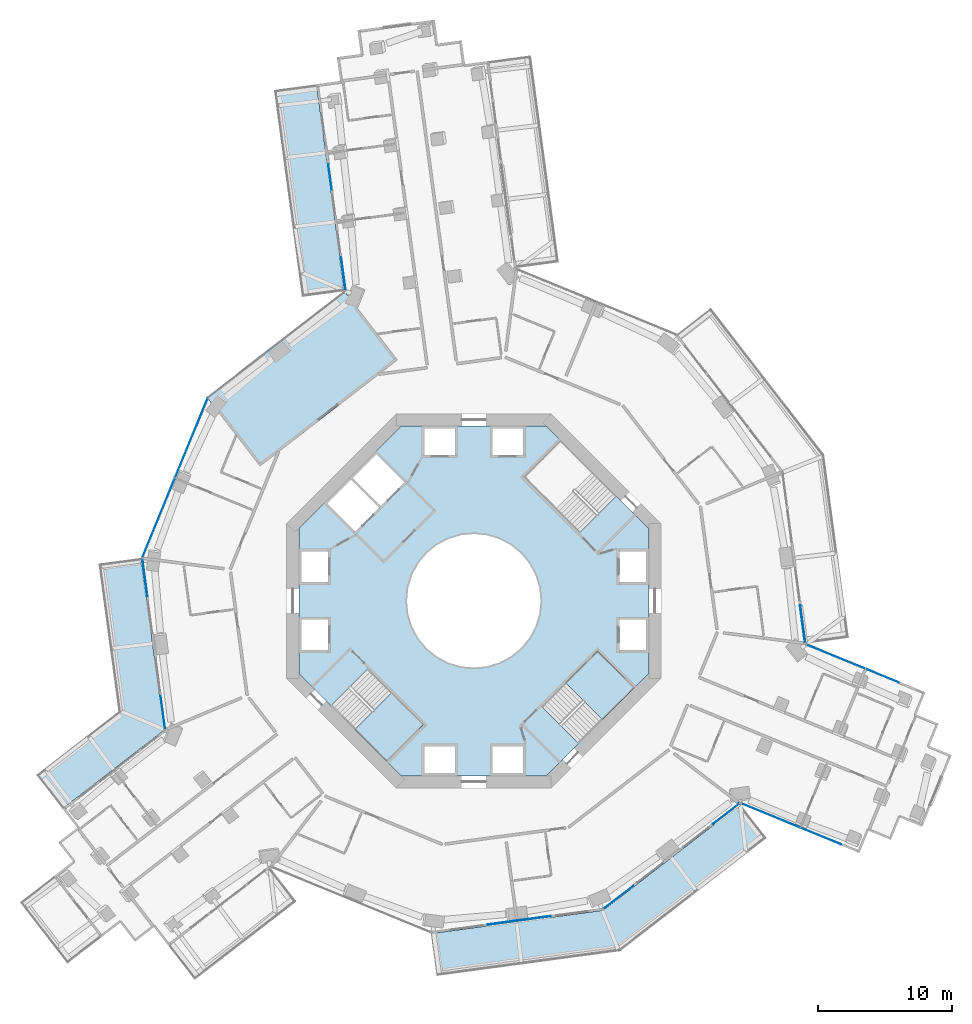
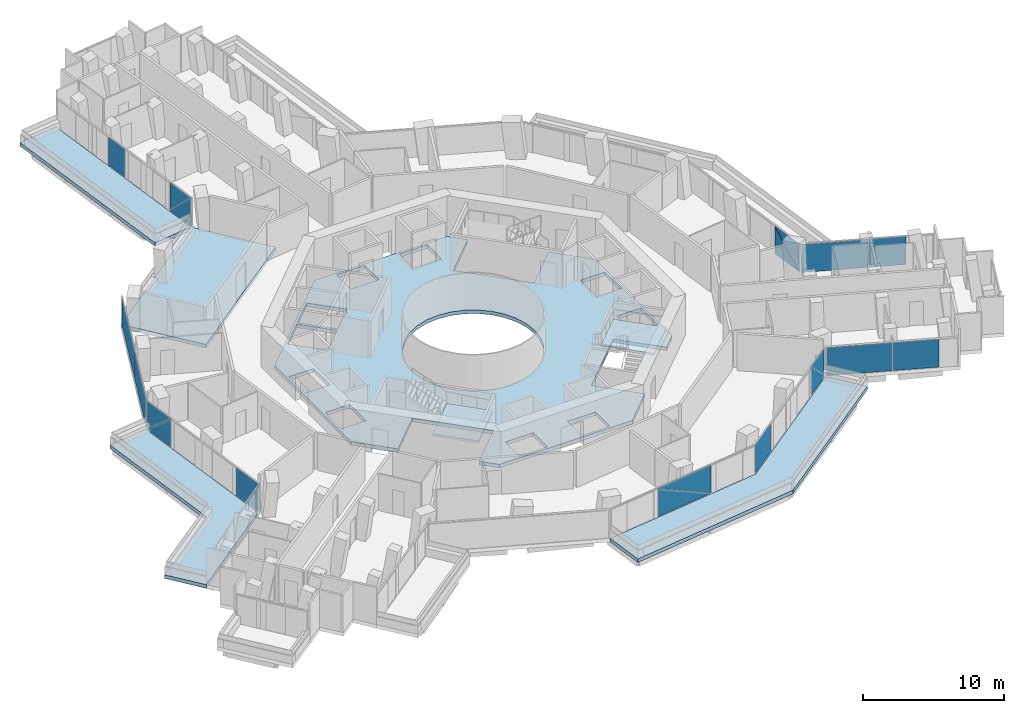
# One storey, part 14 of 27: 19 plates, 7 slabs, 10 elements without a shape of their own.
"""IFC4 building model written with IfcOpenShell, lengths in metres."""

from ifc_helpers import new_model, si_unit, direction, frame, origin, origin_2d, place, context, subcontext, project, spatial, polyline, rectangle, outline, extrude, material, layer, layer_set, type_object, element, aggregate, save


model = new_model("IFC4")

# Units and contexts
model_context = context("Model", 3, precision=1e-05, world=origin(), true_north=direction((0.0, 1.0)))
body_context = subcontext(model_context, "Body", "Model", "MODEL_VIEW")
ifc_project = project(units=[si_unit("LENGTHUNIT", "METRE"), si_unit("AREAUNIT", "SQUARE_METRE"), si_unit("VOLUMEUNIT", "CUBIC_METRE"), si_unit("PLANEANGLEUNIT", "RADIAN"), si_unit("MASSUNIT", "GRAM", prefix="KILO")], contexts=[model_context])

# Site, building, storey
site_placement = place(None, origin())
site = spatial("IfcSite", under=ifc_project, at=site_placement, CompositionType="ELEMENT")
building_placement = place(site_placement, origin())
building = spatial("IfcBuilding", under=site, at=building_placement, Name="Verdalira Terraces Hotel", CompositionType="ELEMENT")
storey_placement = place(building_placement, frame((0.0, 0.0, 64.5)))
storey = spatial("IfcBuildingStorey", under=building, at=storey_placement, Name="L14", CompositionType="ELEMENT", Elevation=64.5)

# Slabs
ifc_material_1 = material(Name="Precast concrete C40/50", Category="concrete")
ifc_layer_1 = layer(ifc_material_1, 0.31005859375)
ifc_layer_set_1 = layer_set([ifc_layer_1], Name="Balcony deck 310")
slab_type_1 = type_object("IfcSlabType", Name="Balcony deck 310", PredefinedType="FLOOR", material=ifc_layer_set_1)
slab_1_placement = place(storey_placement, frame((0.0, 0.0, -0.310059)))
element("IfcSlab", 1, at=slab_1_placement, inside=storey, type_object=slab_type_1, Name="Balcony deck", PredefinedType="FLOOR", context=body_context, shape_type="SweptSolid", body=[
    extrude(outline(polyline([(-12.85498, 22.744385), (-9.683594, 23.172119), (-11.77124, 38.652832), (-14.942383, 38.225342), (-12.85498, 22.744385)])), origin(), (0.0, 0.0, 1.0), 0.310059),
])
slab_2_placement = place(storey_placement, frame((0.0, 0.0, -0.310059)))
element("IfcSlab", 2, at=slab_2_placement, inside=storey, type_object=slab_type_1, Name="Balcony deck", PredefinedType="FLOOR", context=body_context, shape_type="SweptSolid", body=[
    extrude(outline(polyline([(-26.590332, -8.280273), (-32.742432, -13.031738), (-30.786377, -15.564453), (-23.172119, -9.683594), (-24.909424, 3.199707), (-28.080566, 2.772217), (-26.590332, -8.280273)])), origin(), (0.0, 0.0, 1.0), 0.310059),
])
slab_3_placement = place(storey_placement, frame((0.0, 0.0, -0.310059)))
element("IfcSlab", 3, at=slab_3_placement, inside=storey, type_object=slab_type_1, Name="Balcony deck", PredefinedType="FLOOR", context=body_context, shape_type="SweptSolid", body=[
    extrude(outline(polyline([(21.928223, -17.758301), (19.972168, -15.22583), (9.683594, -23.172119), (-3.199707, -24.909424), (-2.772217, -28.080566), (10.960938, -26.22876), (21.928223, -17.758301)])), origin(), (0.0, 0.0, 1.0), 0.310059),
])

# Curtain wall, plates
ifc_material_2 = material(Name="Clear glass", Category="glass")
ifc_layer_2 = layer(ifc_material_2, 0.14990234375)
ifc_layer_set_2 = layer_set([ifc_layer_2], Name="CW1 curtain wall")
curtain_wall_type_1 = type_object("IfcCurtainWallType", Name="CW1 curtain wall", PredefinedType="NOTDEFINED", material=ifc_layer_set_2)
curtain_wall_1_placement = place(storey_placement, origin())
curtain_wall_1 = element("IfcCurtainWall", 4, at=curtain_wall_1_placement, inside=storey, type_object=curtain_wall_type_1, Name="CW1 curtain wall L14 edge 12", PredefinedType="NOTDEFINED")
ifc_material_3 = material(Name="Clear glass", Category="glass")
ifc_layer_3 = layer(ifc_material_3, 0.028076171875)
ifc_layer_set_3 = layer_set([ifc_layer_3], Name="CW1 glass unit 28")
plate_type_1 = type_object("IfcPlateType", Name="CW1 glass unit 28", PredefinedType="CURTAIN_PANEL", material=ifc_layer_set_3)
plate_1_placement = place(storey_placement, frame((-21.142822, 12.177002, 0.0), z_axis=(0.0, 0.0, 1.0), x_axis=(-0.379779096, -0.925077207, 0.0)))
plate_1 = element("IfcPlate", 5, at=plate_1_placement, type_object=plate_type_1, Name="CW1 glass unit", PredefinedType="CURTAIN_PANEL", context=body_context, shape_type="SweptSolid", body=[
    extrude(rectangle(XDim=6.409912, YDim=0.028076, at=origin_2d()), origin(), (0.0, 0.0, 1.0), 2.425049),
])
plate_2_placement = place(storey_placement, frame((-23.592285, 6.210205, 0.0), z_axis=(0.0, 0.0, 1.0), x_axis=(-0.379779096, -0.925077207, 0.0)))
plate_2 = element("IfcPlate", 6, at=plate_2_placement, type_object=plate_type_1, Name="CW1 glass unit", PredefinedType="CURTAIN_PANEL", context=body_context, shape_type="SweptSolid", body=[
    extrude(rectangle(XDim=6.369873, YDim=0.028076, at=origin_2d()), origin(), (0.0, 0.0, 1.0), 2.425049),
])
aggregate(curtain_wall_1, [plate_1, plate_2])

curtain_wall_2_placement = place(storey_placement, origin())
curtain_wall_2 = element("IfcCurtainWall", 7, at=curtain_wall_2_placement, inside=storey, type_object=curtain_wall_type_1, Name="CW1 curtain wall L14 edge 13", PredefinedType="NOTDEFINED")
plate_3_placement = place(storey_placement, frame((-24.620605, 1.725098, 1.212402), z_axis=(-0.991029909, -0.133640259, 0.0), x_axis=(0.133640259, -0.991029909, 0.0)))
plate_3 = element("IfcPlate", 8, at=plate_3_placement, type_object=plate_type_1, Name="CW1 glass unit", PredefinedType="CURTAIN_PANEL", context=body_context, shape_type="SweptSolid", body=[
    extrude(outline(polyline([(-1.399902, -1.212402), (1.399902, -1.212402), (1.399902, 1.212402), (-1.399902, -1.212402)])), origin(), (0.0, 0.0, 1.0), 0.028076),
])
plate_4_placement = place(storey_placement, frame((-24.591797, 1.729004, 1.212402), z_axis=(-0.991029909, -0.133640259, 0.0), x_axis=(0.133640259, -0.991029909, 0.0)))
plate_4 = element("IfcPlate", 9, at=plate_4_placement, type_object=plate_type_1, Name="CW1 glass unit", PredefinedType="CURTAIN_PANEL", context=body_context, shape_type="SweptSolid", body=[
    extrude(outline(polyline([(-1.399902, -1.212402), (1.399902, 1.212402), (-1.399902, 1.212402), (-1.399902, -1.212402)])), origin(), (0.0, 0.0, 1.0), 0.028076),
])
plate_5_placement = place(storey_placement, frame((-23.271484, -8.385498, 0.0), z_axis=(0.0, 0.0, 1.0), x_axis=(0.133640259, -0.991029909, 0.0)))
plate_5 = element("IfcPlate", 10, at=plate_5_placement, type_object=plate_type_1, Name="CW1 glass unit", PredefinedType="CURTAIN_PANEL", context=body_context, shape_type="SweptSolid", body=[
    extrude(rectangle(XDim=2.479492, YDim=0.028076, at=origin_2d()), origin(), (0.0, 0.0, 1.0), 2.425049),
])
aggregate(curtain_wall_2, [plate_3, plate_4, plate_5])

curtain_wall_3_placement = place(storey_placement, origin())
curtain_wall_3 = element("IfcCurtainWall", 11, at=curtain_wall_3_placement, inside=storey, type_object=curtain_wall_type_1, Name="CW1 curtain wall L14 edge 26", PredefinedType="NOTDEFINED")
plate_6_placement = place(storey_placement, frame((3.406738, -23.928711, 1.212402), z_axis=(0.133640259, -0.991029909, 0.0), x_axis=(0.991029909, 0.133640259, 0.0)))
plate_6 = element("IfcPlate", 12, at=plate_6_placement, type_object=plate_type_1, Name="CW1 glass unit", PredefinedType="CURTAIN_PANEL", context=body_context, shape_type="SweptSolid", body=[
    extrude(outline(polyline([(-2.379639, -1.212402), (2.379639, -1.212402), (-2.379639, 1.212402), (-2.379639, -1.212402)])), origin(), (0.0, 0.0, 1.0), 0.028076),
])
plate_7_placement = place(storey_placement, frame((3.402832, -23.899902, 1.212402), z_axis=(0.133640259, -0.991029909, 0.0), x_axis=(0.991029909, 0.133640259, 0.0)))
plate_7 = element("IfcPlate", 13, at=plate_7_placement, type_object=plate_type_1, Name="CW1 glass unit", PredefinedType="CURTAIN_PANEL", context=body_context, shape_type="SweptSolid", body=[
    extrude(outline(polyline([(2.379639, -1.212402), (2.379639, 1.212402), (-2.379639, 1.212402), (2.379639, -1.212402)])), origin(), (0.0, 0.0, 1.0), 0.028076),
])
aggregate(curtain_wall_3, [plate_6, plate_7])

curtain_wall_4_placement = place(storey_placement, origin())
curtain_wall_4 = element("IfcCurtainWall", 14, at=curtain_wall_4_placement, inside=storey, type_object=curtain_wall_type_1, Name="CW1 curtain wall L14 edge 27", PredefinedType="NOTDEFINED")
plate_8_placement = place(storey_placement, frame((10.824951, -22.195801, 0.0), z_axis=(0.0, 0.0, 1.0), x_axis=(0.791436948, 0.611250814, 0.0)))
plate_8 = element("IfcPlate", 15, at=plate_8_placement, type_object=plate_type_1, Name="CW1 glass unit", PredefinedType="CURTAIN_PANEL", context=body_context, shape_type="SweptSolid", body=[
    extrude(rectangle(XDim=2.799805, YDim=0.028076, at=origin_2d()), origin(), (0.0, 0.0, 1.0), 2.425049),
])
plate_9_placement = place(storey_placement, frame((18.88916, -15.949707, 1.212402), z_axis=(0.611250814, -0.791436948, 0.0), x_axis=(0.791436948, 0.611250814, 0.0)))
plate_9 = element("IfcPlate", 16, at=plate_9_placement, type_object=plate_type_1, Name="CW1 glass unit", PredefinedType="CURTAIN_PANEL", context=body_context, shape_type="SweptSolid", body=[
    extrude(outline(polyline([(-1.239746, -1.212402), (1.239746, -1.212402), (-1.239746, 1.212402), (-1.239746, -1.212402)])), origin(), (0.0, 0.0, 1.0), 0.028076),
])
plate_10_placement = place(storey_placement, frame((18.871338, -15.926758, 1.212402), z_axis=(0.611250814, -0.791436948, 0.0), x_axis=(0.791436948, 0.611250814, 0.0)))
plate_10 = element("IfcPlate", 17, at=plate_10_placement, type_object=plate_type_1, Name="CW1 glass unit", PredefinedType="CURTAIN_PANEL", context=body_context, shape_type="SweptSolid", body=[
    extrude(outline(polyline([(1.239746, -1.212402), (1.239746, 1.212402), (-1.239746, 1.212402), (1.239746, -1.212402)])), origin(), (0.0, 0.0, 1.0), 0.028076),
])
aggregate(curtain_wall_4, [plate_8, plate_9, plate_10])

curtain_wall_5_placement = place(storey_placement, origin())
curtain_wall_5 = element("IfcCurtainWall", 18, at=curtain_wall_5_placement, inside=storey, type_object=curtain_wall_type_1, Name="CW1 curtain wall L14 edge 39", PredefinedType="NOTDEFINED")
plate_11_placement = place(storey_placement, frame((24.623291, -1.745117, 1.212402), z_axis=(0.991029909, 0.133640259, 0.0), x_axis=(-0.133640259, 0.991029909, 0.0)))
plate_11 = element("IfcPlate", 19, at=plate_11_placement, type_object=plate_type_1, Name="CW1 glass unit", PredefinedType="CURTAIN_PANEL", context=body_context, shape_type="SweptSolid", body=[
    extrude(outline(polyline([(-1.419922, -1.212402), (1.419922, -1.212402), (1.419922, 1.212402), (-1.419922, -1.212402)])), origin(), (0.0, 0.0, 1.0), 0.028076),
])
plate_12_placement = place(storey_placement, frame((24.594482, -1.749023, 1.212402), z_axis=(0.991029909, 0.133640259, 0.0), x_axis=(-0.133640259, 0.991029909, 0.0)))
plate_12 = element("IfcPlate", 20, at=plate_12_placement, type_object=plate_type_1, Name="CW1 glass unit", PredefinedType="CURTAIN_PANEL", context=body_context, shape_type="SweptSolid", body=[
    extrude(outline(polyline([(-1.419922, -1.212402), (1.419922, 1.212402), (-1.419922, 1.212402), (-1.419922, -1.212402)])), origin(), (0.0, 0.0, 1.0), 0.028076),
])
aggregate(curtain_wall_5, [plate_11, plate_12])

ifc_material_4 = material(Name="Clear glass", Category="glass")
ifc_layer_4 = layer(ifc_material_4, 0.14990234375)
ifc_layer_set_4 = layer_set([ifc_layer_4], Name="CW2 curtain wall")
curtain_wall_type_2 = type_object("IfcCurtainWallType", Name="CW2 curtain wall", PredefinedType="NOTDEFINED", material=ifc_layer_set_4)
curtain_wall_6_placement = place(storey_placement, origin())
curtain_wall_6 = element("IfcCurtainWall", 21, at=curtain_wall_6_placement, inside=storey, type_object=curtain_wall_type_2, Name="CW2 curtain wall L14 edge 10", PredefinedType="NOTDEFINED")
ifc_material_5 = material(Name="Clear glass", Category="glass")
ifc_layer_5 = layer(ifc_material_5, 0.031982421875)
ifc_layer_set_5 = layer_set([ifc_layer_5], Name="CW2 glass unit 32")
plate_type_2 = type_object("IfcPlateType", Name="CW2 glass unit 32", PredefinedType="CURTAIN_PANEL", material=ifc_layer_set_5)
plate_13_placement = place(storey_placement, frame((-10.762207, 31.731201, 0.0), z_axis=(0.0, 0.0, 1.0), x_axis=(0.133640259, -0.991029909, 0.0)))
plate_13 = element("IfcPlate", 22, at=plate_13_placement, type_object=plate_type_2, Name="CW2 glass unit", PredefinedType="CURTAIN_PANEL", context=body_context, shape_type="SweptSolid", body=[
    extrude(rectangle(XDim=1.938965, YDim=0.031982, at=origin_2d()), origin(), (0.0, 0.0, 1.0), 2.425049),
])
plate_14_placement = place(storey_placement, frame((-9.768799, 24.484863, 1.212402), z_axis=(-0.991029909, -0.133640259, 0.0), x_axis=(0.133640259, -0.991029909, 0.0)))
plate_14 = element("IfcPlate", 23, at=plate_14_placement, type_object=plate_type_2, Name="CW2 glass unit", PredefinedType="CURTAIN_PANEL", context=body_context, shape_type="SweptSolid", body=[
    extrude(outline(polyline([(-1.242188, -1.212402), (1.242188, -1.212402), (1.242188, 1.212402), (-1.242188, -1.212402)])), origin(), (0.0, 0.0, 1.0), 0.031982),
])
plate_15_placement = place(storey_placement, frame((-9.736084, 24.489258, 1.212402), z_axis=(-0.991029909, -0.133640259, 0.0), x_axis=(0.133640259, -0.991029909, 0.0)))
plate_15 = element("IfcPlate", 24, at=plate_15_placement, type_object=plate_type_2, Name="CW2 glass unit", PredefinedType="CURTAIN_PANEL", context=body_context, shape_type="SweptSolid", body=[
    extrude(outline(polyline([(-1.242188, -1.212402), (1.242188, 1.212402), (-1.242188, 1.212402), (-1.242188, -1.212402)])), origin(), (0.0, 0.0, 1.0), 0.031982),
])
aggregate(curtain_wall_6, [plate_13, plate_14, plate_15])

curtain_wall_7_placement = place(storey_placement, origin())
curtain_wall_7 = element("IfcCurtainWall", 25, at=curtain_wall_7_placement, inside=storey, type_object=curtain_wall_type_2, Name="CW2 curtain wall L14 edge 28", PredefinedType="NOTDEFINED")
plate_16_placement = place(storey_placement, frame((22.241943, -16.076416, 0.0), z_axis=(0.0, 0.0, 1.0), x_axis=(0.925077207, -0.379779096, 0.0)))
plate_16 = element("IfcPlate", 26, at=plate_16_placement, type_object=plate_type_2, Name="CW2 glass unit", PredefinedType="CURTAIN_PANEL", context=body_context, shape_type="SweptSolid", body=[
    extrude(rectangle(XDim=4.705566, YDim=0.031982, at=origin_2d()), origin(), (0.0, 0.0, 1.0), 2.425049),
])
plate_17_placement = place(storey_placement, frame((25.986328, -17.61377, 0.0), z_axis=(0.0, 0.0, 1.0), x_axis=(0.925077207, -0.379779096, 0.0)))
plate_17 = element("IfcPlate", 27, at=plate_17_placement, type_object=plate_type_2, Name="CW2 glass unit", PredefinedType="CURTAIN_PANEL", context=body_context, shape_type="SweptSolid", body=[
    extrude(rectangle(XDim=3.249756, YDim=0.031982, at=origin_2d()), origin(), (0.0, 0.0, 1.0), 2.425049),
])
aggregate(curtain_wall_7, [plate_16, plate_17])

curtain_wall_8_placement = place(storey_placement, origin())
curtain_wall_8 = element("IfcCurtainWall", 28, at=curtain_wall_8_placement, inside=storey, type_object=curtain_wall_type_2, Name="CW2 curtain wall L14 edge 38", PredefinedType="NOTDEFINED")
plate_18_placement = place(storey_placement, frame((30.584961, -5.61084, 0.0), z_axis=(0.0, 0.0, 1.0), x_axis=(-0.925077207, 0.379779096, 0.0)))
plate_18 = element("IfcPlate", 29, at=plate_18_placement, type_object=plate_type_2, Name="CW2 glass unit", PredefinedType="CURTAIN_PANEL", context=body_context, shape_type="SweptSolid", body=[
    extrude(rectangle(XDim=2.641357, YDim=0.031982, at=origin_2d()), origin(), (0.0, 0.0, 1.0), 2.425049),
])
plate_19_placement = place(storey_placement, frame((27.12207, -4.189209, 0.0), z_axis=(0.0, 0.0, 1.0), x_axis=(-0.925077207, 0.379779096, 0.0)))
plate_19 = element("IfcPlate", 30, at=plate_19_placement, type_object=plate_type_2, Name="CW2 glass unit", PredefinedType="CURTAIN_PANEL", context=body_context, shape_type="SweptSolid", body=[
    extrude(rectangle(XDim=4.705566, YDim=0.031982, at=origin_2d()), origin(), (0.0, 0.0, 1.0), 2.425049),
])
aggregate(curtain_wall_8, [plate_18, plate_19])

# Slab
ifc_material_6 = material(Name="Concrete C40", Category="concrete")
ifc_layer_6 = layer(ifc_material_6, 0.31005859375)
ifc_layer_set_6 = layer_set([ifc_layer_6], Name="Core floor slab 310 mm")
slab_type_2 = type_object("IfcSlabType", Name="Core floor slab 310 mm", PredefinedType="FLOOR", material=ifc_layer_set_6)
slab_4_placement = place(storey_placement, frame((0.0, 0.0, -0.310059)))
element("IfcSlab", 31, at=slab_4_placement, inside=storey, type_object=slab_type_2, Name="L14 core floor", PredefinedType="FLOOR", context=body_context, shape_type="SweptSolid", body=[
    extrude(outline(polyline([(-5.42627, 13.100098), (5.42627, 13.100098), (6.491211, 12.034912), (3.719482, 9.263184), (7.905029, 5.077393), (10.677002, 7.849121), (13.100098, 5.42627), (13.100098, -5.42627), (12.034912, -6.491211), (9.263184, -3.719482), (5.077393, -7.905029), (7.849121, -10.677002), (5.42627, -13.100098), (-5.42627, -13.100098), (-6.491211, -12.034912), (-3.719482, -9.263184), (-7.905029, -5.077393), (-10.677002, -7.849121), (-13.100098, -5.42627), (-13.100098, 5.42627), (-5.42627, 13.100098)]), holes=[polyline([(12.899902, -3.699951), (12.899902, -1.399902), (10.899902, -1.399902), (10.899902, -3.699951), (12.899902, -3.699951)]), polyline([(12.899902, 1.399902), (12.899902, 3.699951), (10.899902, 3.699951), (10.899902, 1.399902), (12.899902, 1.399902)]), polyline([(1.399902, 10.899902), (3.699951, 10.899902), (3.699951, 12.899902), (1.399902, 12.899902), (1.399902, 10.899902)]), polyline([(-3.699951, 10.899902), (-1.399902, 10.899902), (-1.399902, 12.899902), (-3.699951, 12.899902), (-3.699951, 10.899902)]), polyline([(-12.899902, 3.699951), (-12.899902, 1.399902), (-10.899902, 1.399902), (-10.899902, 3.699951), (-12.899902, 3.699951)]), polyline([(-12.899902, -1.399902), (-12.899902, -3.699951), (-10.899902, -3.699951), (-10.899902, -1.399902), (-12.899902, -1.399902)]), polyline([(-1.399902, -10.899902), (-3.699951, -10.899902), (-3.699951, -12.899902), (-1.399902, -12.899902), (-1.399902, -10.899902)]), polyline([(3.699951, -10.899902), (1.399902, -10.899902), (1.399902, -12.899902), (3.699951, -12.899902), (3.699951, -10.899902)]), polyline([(-9.051025, 9.192383), (-6.965088, 7.106445), (-5.197266, 8.874268), (-7.283203, 10.960205), (-9.051025, 9.192383)]), polyline([(-9.192383, 9.051025), (-10.960205, 7.283203), (-8.874268, 5.197266), (-7.106445, 6.965088), (-9.192383, 9.051025)]), polyline([(3.5354, 3.5354), (2.777832, 4.157227), (1.91333, 4.619385), (0.975586, 4.903809), (0.0, 5.0), (-0.975586, 4.903809), (-1.91333, 4.619385), (-2.777832, 4.157227), (-3.5354, 3.5354), (-4.157227, 2.777832), (-4.619385, 1.91333), (-4.903809, 0.975586), (-5.0, 0.0), (-4.903809, -0.975586), (-4.619385, -1.91333), (-4.157227, -2.777832), (-3.5354, -3.5354), (-2.777832, -4.157227), (-1.91333, -4.619385), (-0.975586, -4.903809), (0.0, -5.0), (0.975586, -4.903809), (1.91333, -4.619385), (2.777832, -4.157227), (3.5354, -3.5354), (4.157227, -2.777832), (4.619385, -1.91333), (4.903809, -0.975586), (5.0, 0.0), (4.903809, 0.975586), (4.619385, 1.91333), (4.157227, 2.777832), (3.5354, 3.5354)])]), origin(), (0.0, 0.0, 1.0), 0.310059),
])

# Stair, slab
ifc_material_7 = material(Name="Concrete C40", Category="concrete")
stair_type = type_object("IfcStairType", Name="Core stair 20 risers 1900 mm wide", PredefinedType="HALF_TURN_STAIR", material=ifc_material_7)
stair_1_placement = place(storey_placement, origin())
stair_1 = element("IfcStair", 32, at=stair_1_placement, inside=storey, type_object=stair_type, Name="L14 Exit stair ST2", PredefinedType="HALF_TURN_STAIR")
ifc_material_8 = material(Name="Concrete C40", Category="concrete")
ifc_layer_7 = layer(ifc_material_8, 0.199951171875)
ifc_layer_set_7 = layer_set([ifc_layer_7], Name="Core stair landing 200 mm")
slab_type_3 = type_object("IfcSlabType", Name="Core stair landing 200 mm", PredefinedType="LANDING", material=ifc_layer_set_7)
slab_5_placement = place(storey_placement, frame((0.0, 0.0, 1.550049)))
slab_5 = element("IfcSlab", 33, at=slab_5_placement, type_object=slab_type_3, Name="ST2 landing 1", PredefinedType="LANDING", context=body_context, shape_type="SweptSolid", body=[
    extrude(outline(polyline([(-8.895752, -9.630371), (-6.505371, -12.020752), (-3.747559, -9.263184), (-6.137939, -6.872803), (-8.895752, -9.630371)])), origin(), (0.0, 0.0, 1.0), 0.199951),
])
aggregate(stair_1, [slab_5])

stair_2_placement = place(storey_placement, origin())
stair_2 = element("IfcStair", 34, at=stair_2_placement, inside=storey, type_object=stair_type, Name="L14 Exit stair ST3", PredefinedType="HALF_TURN_STAIR")
slab_6_placement = place(storey_placement, frame((0.0, 0.0, 1.550049)))
slab_6 = element("IfcSlab", 35, at=slab_6_placement, type_object=slab_type_3, Name="ST3 landing 1", PredefinedType="LANDING", context=body_context, shape_type="SweptSolid", body=[
    extrude(outline(polyline([(9.630371, -8.895752), (12.020752, -6.505371), (9.263184, -3.747559), (6.872803, -6.137939), (9.630371, -8.895752)])), origin(), (0.0, 0.0, 1.0), 0.199951),
])
aggregate(stair_2, [slab_6])

# Slab
ifc_material_9 = material(Name="Concrete C40", Category="concrete")
ifc_layer_8 = layer(ifc_material_9, 0.31005859375)
ifc_layer_set_8 = layer_set([ifc_layer_8], Name="Loggia floor deck 310 C40")
slab_type_4 = type_object("IfcSlabType", Name="Loggia floor deck 310 C40", PredefinedType="FLOOR", material=ifc_layer_set_8)
slab_7_placement = place(storey_placement, frame((0.0, 0.0, -0.310059)))
element("IfcSlab", 36, at=slab_7_placement, inside=storey, type_object=slab_type_4, Name="Loggia deck L14", PredefinedType="FLOOR", context=body_context, shape_type="SweptSolid", body=[
    extrude(outline(polyline([(-5.710449, 18.027588), (-9.683594, 23.172119), (-19.972412, 15.22583), (-15.999023, 10.081543), (-5.710449, 18.027588)])), origin(), (0.0, 0.0, 1.0), 0.310059),
])

save(model, "model.ifc")
